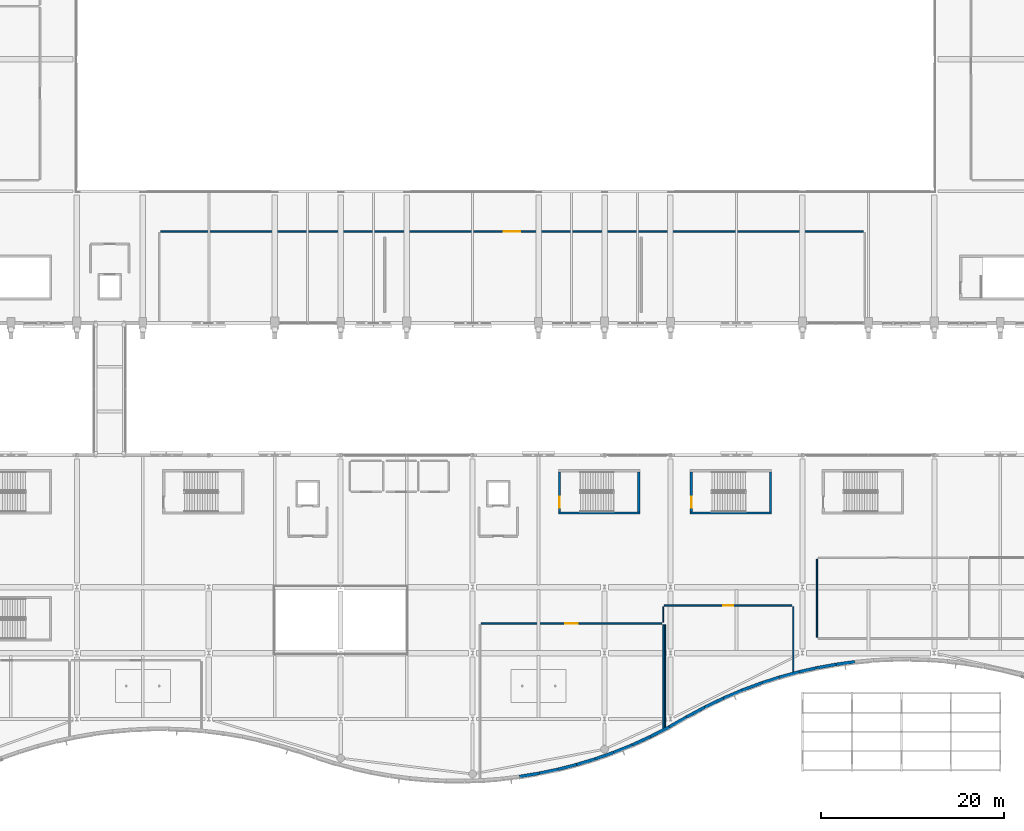
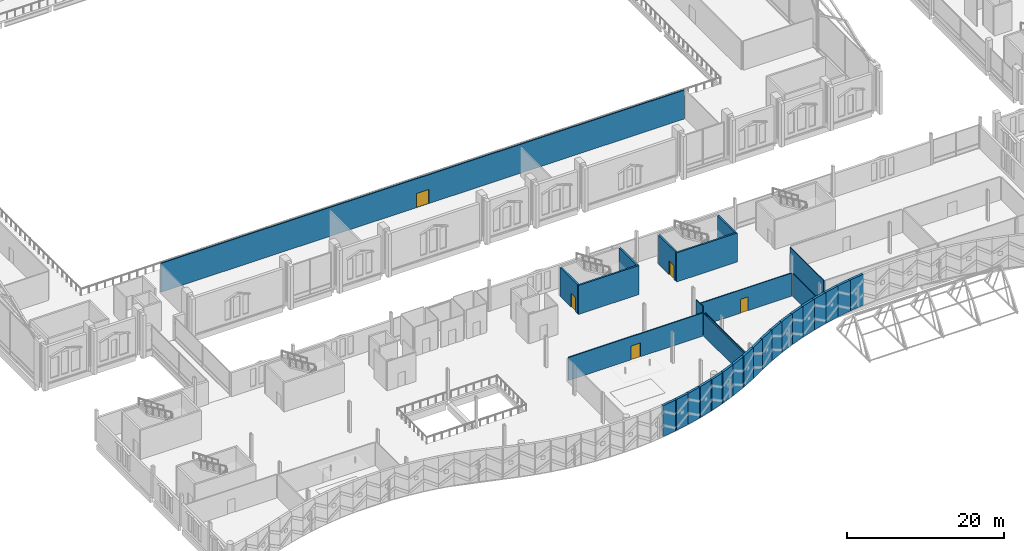
# One storey, part 152 of 220: 32 walls, 5 doors, 5 openings.
"""IFC4 building model written with IfcOpenShell, lengths in metres."""

from ifc_helpers import new_model, si_unit, direction, frame, frame_2d, origin, place, context, subcontext, project, spatial, rectangle, extrude, material, layer, layer_set, type_object, element, fill, save


model = new_model("IFC4")

# Units and contexts
model_context = context("Model", 3, precision=1e-05, world=origin(), true_north=direction((0.0, 1.0)))
body_context = subcontext(model_context, "Body", "Model", "MODEL_VIEW")
ifc_project = project(units=[si_unit("LENGTHUNIT", "METRE"), si_unit("AREAUNIT", "SQUARE_METRE"), si_unit("VOLUMEUNIT", "CUBIC_METRE"), si_unit("PLANEANGLEUNIT", "RADIAN"), si_unit("MASSUNIT", "GRAM", prefix="KILO")], contexts=[model_context])

# Site, building, storey
site_placement = place(None, origin())
site = spatial("IfcSite", under=ifc_project, at=site_placement, CompositionType="ELEMENT")
building_placement = place(site_placement, origin())
building = spatial("IfcBuilding", under=site, at=building_placement, Name="Cendralis Lancet Convention Centre", CompositionType="ELEMENT")
storey_placement = place(building_placement, frame((0.0, 0.0, 5.39990234375)))
storey = spatial("IfcBuildingStorey", under=building, at=storey_placement, Name="L01", CompositionType="ELEMENT", Elevation=5.39990234375)

# Walls
ifc_material_1 = material(Name="Buff sandstone ashlar and Concrete G40 (C40/50)", Category="masonry")
ifc_layer_1 = layer(ifc_material_1, 0.340087890625, Name="Buff sandstone ashlar and Concrete G40 (C40/50)")
ifc_layer_set_1 = layer_set([ifc_layer_1], Name="Buff sandstone ashlar and Concrete G40 (C40/50)")
wall_type_1 = type_object("IfcWallType", Name="ARC-EW-W340", PredefinedType="STANDARD", material=ifc_layer_set_1)
wall_1_placement = place(storey_placement, frame((62.697998046875, 0.911376953125, 0.0), z_axis=(0.0, 0.0, 1.0), x_axis=(0.986905765568, 0.161297891767, 0.0)))
element("IfcWall", 1, at=wall_1_placement, inside=storey, type_object=wall_type_1, Name="South Boulevard Wave Wall L01 WP-032-WP-033", PredefinedType="STANDARD", context=body_context, shape_type="SweptSolid", body=[
    extrude(rectangle(XDim=2.221923828125, YDim=0.340087890625, at=frame_2d((1.11083984375, 0.0))), origin(), (0.0, 0.0, 1.0), 4.800048828125),
])
wall_2_placement = place(storey_placement, frame((64.723876953125, 1.23876953125, 0.0), z_axis=(0.0, 0.0, 1.0), x_axis=(0.97908550934, 0.20344917154, 0.0)))
element("IfcWall", 2, at=wall_2_placement, inside=storey, type_object=wall_type_1, Name="South Boulevard Wave Wall L01 WP-033-WP-034", PredefinedType="STANDARD", context=body_context, shape_type="SweptSolid", body=[
    extrude(rectangle(XDim=2.2392578125, YDim=0.340087890625, at=frame_2d((1.11962890625, 0.0))), origin(), (0.0, 0.0, 1.0), 4.800048828125),
])
wall_3_placement = place(storey_placement, frame((66.75048828125, 1.656005859375, 0.0), z_axis=(0.0, 0.0, 1.0), x_axis=(0.969258997982, 0.246042668719, 0.0)))
element("IfcWall", 3, at=wall_3_placement, inside=storey, type_object=wall_type_1, Name="South Boulevard Wave Wall L01 WP-034-WP-035", PredefinedType="STANDARD", context=body_context, shape_type="SweptSolid", body=[
    extrude(rectangle(XDim=2.25927734375, YDim=0.340087890625, at=frame_2d((1.129638671875, 0.0))), origin(), (0.0, 0.0, 1.0), 4.800048828125),
])
wall_4_placement = place(storey_placement, frame((68.776611328125, 2.16650390625, 0.0), z_axis=(0.0, 0.0, 1.0), x_axis=(0.957628994577, 0.288004702643, 0.0)))
element("IfcWall", 4, at=wall_4_placement, inside=storey, type_object=wall_type_1, Name="South Boulevard Wave Wall L01 WP-035-WP-036", PredefinedType="STANDARD", context=body_context, shape_type="SweptSolid", body=[
    extrude(rectangle(XDim=2.284423828125, YDim=0.340087890625, at=frame_2d((1.14208984375, 0.0))), origin(), (0.0, 0.0, 1.0), 4.800048828125),
])
wall_5_placement = place(storey_placement, frame((70.802734375, 2.77197265625, 0.0), z_axis=(0.0, 0.0, 1.0), x_axis=(0.943963520868, 0.330049801197, 0.0)))
element("IfcWall", 5, at=wall_5_placement, inside=storey, type_object=wall_type_1, Name="South Boulevard Wave Wall L01 WP-036-WP-037", PredefinedType="STANDARD", context=body_context, shape_type="SweptSolid", body=[
    extrude(rectangle(XDim=2.315185546875, YDim=0.340087890625, at=frame_2d((1.15771484375, 0.0))), origin(), (0.0, 0.0, 1.0), 4.800048828125),
])
wall_6_placement = place(storey_placement, frame((72.8291015625, 3.476318359375, 0.0), z_axis=(0.0, 0.0, 1.0), x_axis=(0.928046758816, 0.372463707563, 0.0)))
element("IfcWall", 6, at=wall_6_placement, inside=storey, type_object=wall_type_1, Name="South Boulevard Wave Wall L01 WP-037-WP-038", PredefinedType="STANDARD", context=body_context, shape_type="SweptSolid", body=[
    extrude(rectangle(XDim=2.353271484375, YDim=0.340087890625, at=frame_2d((1.1767578125, 0.0))), origin(), (0.0, 0.0, 1.0), 4.800048828125),
])
wall_7_placement = place(storey_placement, frame((74.856689453125, 4.28564453125, 0.0), z_axis=(0.0, 0.0, 1.0), x_axis=(0.909912191501, 0.414800920633, 0.0)))
element("IfcWall", 7, at=wall_7_placement, inside=storey, type_object=wall_type_1, Name="South Boulevard Wave Wall L01 WP-038-WP-039", PredefinedType="STANDARD", context=body_context, shape_type="SweptSolid", body=[
    extrude(rectangle(XDim=2.3955078125, YDim=0.340087890625, at=frame_2d((1.19775390625, 0.0))), origin(), (0.0, 0.0, 1.0), 4.800048828125),
])
wall_8_placement = place(storey_placement, frame((76.88330078125, 5.205078125, 0.0), z_axis=(0.0, 0.0, 1.0), x_axis=(0.889545097509, 0.456847370024, 0.0)))
element("IfcWall", 8, at=wall_8_placement, inside=storey, type_object=wall_type_1, Name="South Boulevard Wave Wall L01 WP-039-WP-040", PredefinedType="STANDARD", context=body_context, shape_type="SweptSolid", body=[
    extrude(rectangle(XDim=2.446533203125, YDim=0.340087890625, at=frame_2d((1.22314453125, 0.0))), origin(), (0.0, 0.0, 1.0), 4.800048828125),
])
wall_9_placement = place(storey_placement, frame((78.91015625, 6.241943359375, 0.0), z_axis=(0.0, 0.0, 1.0), x_axis=(0.86862731291, 0.495466034423, 0.0)))
element("IfcWall", 9, at=wall_9_placement, inside=storey, type_object=wall_type_1, Name="South Boulevard Wave Wall L01 WP-040-WP-041", PredefinedType="STANDARD", context=body_context, shape_type="SweptSolid", body=[
    extrude(rectangle(XDim=2.501220703125, YDim=0.340087890625, at=frame_2d((1.25048828125, 0.0))), origin(), (0.0, 0.0, 1.0), 4.800048828125),
])
wall_10_placement = place(storey_placement, frame((80.93408203125, 7.398681640625, 0.0), z_axis=(0.0, 0.0, 1.0), x_axis=(0.88020761941, 0.474588818593, 0.0)))
element("IfcWall", 10, at=wall_10_placement, inside=storey, type_object=wall_type_1, Name="South Boulevard Wave Wall L01 WP-041-WP-042", PredefinedType="STANDARD", context=body_context, shape_type="SweptSolid", body=[
    extrude(rectangle(XDim=2.470703125, YDim=0.340087890625, at=frame_2d((1.2353515625, 0.0))), origin(), (0.0, 0.0, 1.0), 4.800048828125),
])
wall_11_placement = place(storey_placement, frame((82.95751953125, 8.494140625, 0.0), z_axis=(0.0, 0.0, 1.0), x_axis=(0.901581367557, 0.432609567247, 0.0)))
element("IfcWall", 11, at=wall_11_placement, inside=storey, type_object=wall_type_1, Name="South Boulevard Wave Wall L01 WP-042-WP-043", PredefinedType="STANDARD", context=body_context, shape_type="SweptSolid", body=[
    extrude(rectangle(XDim=2.4169921875, YDim=0.340087890625, at=frame_2d((1.20849609375, 0.0))), origin(), (0.0, 0.0, 1.0), 4.800048828125),
])
wall_12_placement = place(storey_placement, frame((84.981689453125, 9.4697265625, 0.0), z_axis=(0.0, 0.0, 1.0), x_axis=(0.920731016791, 0.39019789174, 0.0)))
element("IfcWall", 12, at=wall_12_placement, inside=storey, type_object=wall_type_1, Name="South Boulevard Wave Wall L01 WP-043-WP-044", PredefinedType="STANDARD", context=body_context, shape_type="SweptSolid", body=[
    extrude(rectangle(XDim=2.369384765625, YDim=0.340087890625, at=frame_2d((1.1845703125, 0.0))), origin(), (0.0, 0.0, 1.0), 4.800048828125),
])
wall_13_placement = place(storey_placement, frame((87.00537109375, 10.331298828125, 0.0), z_axis=(0.0, 0.0, 1.0), x_axis=(0.937431134524, 0.348170745504, 0.0)))
element("IfcWall", 13, at=wall_13_placement, inside=storey, type_object=wall_type_1, Name="South Boulevard Wave Wall L01 WP-044-WP-045", PredefinedType="STANDARD", context=body_context, shape_type="SweptSolid", body=[
    extrude(rectangle(XDim=2.330078125, YDim=0.340087890625, at=frame_2d((1.1650390625, 0.0))), origin(), (0.0, 0.0, 1.0), 4.800048828125),
])
wall_14_placement = place(storey_placement, frame((89.029052734375, 11.0869140625, 0.0), z_axis=(0.0, 0.0, 1.0), x_axis=(0.951998698531, 0.306102071203, 0.0)))
element("IfcWall", 14, at=wall_14_placement, inside=storey, type_object=wall_type_1, Name="South Boulevard Wave Wall L01 WP-045-WP-046", PredefinedType="STANDARD", context=body_context, shape_type="SweptSolid", body=[
    extrude(rectangle(XDim=2.297119140625, YDim=0.340087890625, at=frame_2d((1.1484375, 0.0))), origin(), (0.0, 0.0, 1.0), 4.800048828125),
])
wall_15_placement = place(storey_placement, frame((91.052978515625, 11.74169921875, 0.0), z_axis=(0.0, 0.0, 1.0), x_axis=(0.964609795195, 0.263681518151, 0.0)))
element("IfcWall", 15, at=wall_15_placement, inside=storey, type_object=wall_type_1, Name="South Boulevard Wave Wall L01 WP-046-WP-047", PredefinedType="STANDARD", context=body_context, shape_type="SweptSolid", body=[
    extrude(rectangle(XDim=2.270263671875, YDim=0.340087890625, at=frame_2d((1.13525390625, 0.0))), origin(), (0.0, 0.0, 1.0), 4.800048828125),
])
wall_16_placement = place(storey_placement, frame((93.078125, 12.29931640625, 0.0), z_axis=(0.0, 0.0, 1.0), x_axis=(0.97525761738, 0.221071435835, 0.0)))
element("IfcWall", 16, at=wall_16_placement, inside=storey, type_object=wall_type_1, Name="South Boulevard Wave Wall L01 WP-047-WP-048", PredefinedType="STANDARD", context=body_context, shape_type="SweptSolid", body=[
    extrude(rectangle(XDim=2.246337890625, YDim=0.340087890625, at=frame_2d((1.123046875, 0.0))), origin(), (0.0, 0.0, 1.0), 4.800048828125),
])
wall_17_placement = place(storey_placement, frame((95.102294921875, 12.76171875, 0.0), z_axis=(0.0, 0.0, 1.0), x_axis=(0.983806745021, 0.179232498313, 0.0)))
element("IfcWall", 17, at=wall_17_placement, inside=storey, type_object=wall_type_1, Name="South Boulevard Wave Wall L01 WP-048-WP-049", PredefinedType="STANDARD", context=body_context, shape_type="SweptSolid", body=[
    extrude(rectangle(XDim=2.228515625, YDim=0.340087890625, at=frame_2d((1.1142578125, 0.0))), origin(), (0.0, 0.0, 1.0), 4.800048828125),
])
wall_18_placement = place(storey_placement, frame((97.126708984375, 13.134521484375, 0.0), z_axis=(0.0, 0.0, 1.0), x_axis=(0.990595897683, 0.136820201338, 0.0)))
element("IfcWall", 18, at=wall_18_placement, inside=storey, type_object=wall_type_1, Name="South Boulevard Wave Wall L01 WP-049-WP-050", PredefinedType="STANDARD", context=body_context, shape_type="SweptSolid", body=[
    extrude(rectangle(XDim=2.21435546875, YDim=0.340087890625, at=frame_2d((1.107177734375, 0.0))), origin(), (0.0, 0.0, 1.0), 4.800048828125),
])
ifc_material_2 = material(Name="Acoustic fire-rated gypsum board on steel studs", Category="steel")
ifc_layer_2 = layer(ifc_material_2, 0.1201171875, Name="Acoustic fire-rated gypsum board on steel studs")
ifc_layer_set_2 = layer_set([ifc_layer_2], Name="Acoustic fire-rated gypsum board on steel studs")
wall_type_2 = type_object("IfcWallType", Name="ARC-IW-P120", PredefinedType="PARTITIONING", material=ifc_layer_set_2)
wall_19_placement = place(storey_placement, frame((78.39990234375, 17.739990234375, 0.0), z_axis=(0.0, 0.0, 1.0), x_axis=(0.0, 1.0, 0.0)))
element("IfcWall", 19, at=wall_19_placement, inside=storey, type_object=wall_type_2, Name="L01 Interior Partition IW-05 #0236", PredefinedType="PARTITIONING", context=body_context, shape_type="SweptSolid", body=[
    extrude(rectangle(XDim=1.719970703125, YDim=0.1201171875, at=frame_2d((0.85986328125, 0.0))), origin(), (0.0, 0.0, 1.0), 4.485107421875),
])
ifc_layer_3 = layer(ifc_material_2, 0.139892578125, Name="Acoustic fire-rated gypsum board on steel studs")
ifc_layer_set_3 = layer_set([ifc_layer_3], Name="Acoustic fire-rated gypsum board on steel studs")
wall_type_3 = type_object("IfcWallType", Name="ARC-IW-P140", PredefinedType="PARTITIONING", material=ifc_layer_set_3)
wall_20_placement = place(storey_placement, frame((78.39990234375, 6.16162109375, 0.0), z_axis=(0.0, 0.0, 1.0), x_axis=(0.0, 1.0, 0.0)))
element("IfcWall", 20, at=wall_20_placement, inside=storey, type_object=wall_type_3, Name="L01 Interior Partition IW-04 #0233", PredefinedType="PARTITIONING", context=body_context, shape_type="SweptSolid", body=[
    extrude(rectangle(XDim=11.29833984375, YDim=0.139892578125, at=frame_2d((5.649169921875, 0.0))), origin(), (0.0, 0.0, 1.0), 3.53515625),
])
wall_21_placement = place(storey_placement, frame((78.60009765625, 6.267578125, 0.0), z_axis=(0.0, 0.0, 1.0), x_axis=(0.0, 1.0, 0.0)))
element("IfcWall", 21, at=wall_21_placement, inside=storey, type_object=wall_type_3, Name="L01 Interior Partition IW-04 #0234", PredefinedType="PARTITIONING", context=body_context, shape_type="SweptSolid", body=[
    extrude(rectangle(XDim=11.1923828125, YDim=0.139892578125, at=frame_2d((5.59619140625, 0.0))), origin(), (0.0, 0.0, 1.0), 3.53515625),
])

# Wall, opening, door
wall_22_placement = place(storey_placement, frame((78.5400390625, 19.60009765625, 0.0), z_axis=(0.0, 0.0, 1.0), x_axis=(1.0, 0.0, 0.0)))
wall_22 = element("IfcWall", 22, at=wall_22_placement, inside=storey, type_object=wall_type_3, Name="L01 Interior Partition IW-04 #0235", PredefinedType="PARTITIONING", context=body_context, shape_type="SweptSolid", body=[
    extrude(rectangle(XDim=13.919921875, YDim=0.139892578125, at=frame_2d((6.9599609375, 0.0))), origin(), (0.0, 0.0, 1.0), 3.585205078125),
])
opening_1_placement = place(wall_22_placement, frame((6.409912109375, 0.0, 0.0)))
opening_1 = element("IfcOpeningElement", 23, at=opening_1_placement, cuts=wall_22, Name="Opening FD-11", PredefinedType="OPENING", context=body_context, shape_type="SweptSolid", body=[
    extrude(rectangle(XDim=1.10009765625, YDim=2.14990234375, at=frame_2d((0.550048828125, 1.074951171875))), frame((0.0, 0.079833984375, 0.0), z_axis=(0.0, -1.0, 0.0), x_axis=(1.0, 0.0, 0.0)), (0.0, 0.0, 1.0), 0.159912109375),
])
ifc_material_3 = material(Name="Steel S355", Category="steel")
door_type_1 = type_object("IfcDoorType", Name="ARC-DR-FF11", OperationType="NOTDEFINED", PredefinedType="DOOR", material=ifc_material_3)
door_1_placement = place(opening_1_placement, origin())
door_1 = element("IfcDoor", 24, at=door_1_placement, inside=storey, type_object=door_type_1, Name="L01-D027 L01 Interior Door FD-11 #0078", OperationType="SINGLE_SWING_RIGHT", OverallHeight=2.14990234375, OverallWidth=1.10009765625, PredefinedType="DOOR", context=body_context, shape_type="SweptSolid", body=[
    extrude(rectangle(XDim=1.10009765625, YDim=2.14990234375, at=frame_2d((0.550048828125, 1.074951171875))), frame((0.0, 0.02490234375, 0.0), z_axis=(0.0, -1.0, 0.0), x_axis=(1.0, 0.0, 0.0)), (0.0, 0.0, 1.0), 0.050048828125),
])
fill(opening_1, door_1)

# Walls
wall_23_placement = place(storey_placement, frame((92.60009765625, 12.36376953125, 0.0), z_axis=(0.0, 0.0, 1.0), x_axis=(0.0, 1.0, 0.0)))
element("IfcWall", 25, at=wall_23_placement, inside=storey, type_object=wall_type_3, Name="L01 Interior Partition IW-04 #0237", PredefinedType="PARTITIONING", context=body_context, shape_type="SweptSolid", body=[
    extrude(rectangle(XDim=7.09619140625, YDim=0.139892578125, at=frame_2d((3.548095703125, 0.0))), origin(), (0.0, 0.0, 1.0), 3.53515625),
])
wall_24_placement = place(storey_placement, frame((95.199951171875, 16.139892578125, 0.0), z_axis=(0.0, 0.0, 1.0), x_axis=(0.0, 1.0, 0.0)))
element("IfcWall", 26, at=wall_24_placement, inside=storey, type_object=wall_type_3, Name="L01 Interior Partition IW-04 #0240", PredefinedType="PARTITIONING", context=body_context, shape_type="SweptSolid", body=[
    extrude(rectangle(XDim=8.52001953125, YDim=0.139892578125, at=frame_2d((4.260009765625, 0.0))), origin(), (0.0, 0.0, 1.0), 3.53515625),
])

# Wall, opening, door
ifc_layer_4 = layer(ifc_material_2, 0.159912109375, Name="Acoustic fire-rated gypsum board on steel studs")
ifc_layer_set_4 = layer_set([ifc_layer_4], Name="Acoustic fire-rated gypsum board on steel studs")
wall_type_4 = type_object("IfcWallType", Name="ARC-IW-P160", PredefinedType="PARTITIONING", material=ifc_layer_set_4)
wall_25_placement = place(storey_placement, frame((23.5400390625, 60.39990234375, 0.0), z_axis=(0.0, 0.0, 1.0), x_axis=(1.0, 0.0, 0.0)))
wall_25 = element("IfcWall", 27, at=wall_25_placement, inside=storey, type_object=wall_type_4, Name="L01 Interior Partition IW-03 #0027", PredefinedType="PARTITIONING", context=body_context, shape_type="SweptSolid", body=[
    extrude(rectangle(XDim=76.719970703125, YDim=0.159912109375, at=frame_2d((38.35986328125, 0.0))), origin(), (0.0, 0.0, 1.0), 4.485107421875),
])
opening_2_placement = place(wall_25_placement, frame((37.4599609375, 0.0, 0.0)))
opening_2 = element("IfcOpeningElement", 28, at=opening_2_placement, cuts=wall_25, Name="Opening ID-18", PredefinedType="OPENING", context=body_context, shape_type="SweptSolid", body=[
    extrude(rectangle(XDim=1.800048828125, YDim=2.199951171875, at=frame_2d((0.89990234375, 1.10009765625))), frame((0.0, 0.08984375, 0.0), z_axis=(0.0, -1.0, 0.0), x_axis=(1.0, 0.0, 0.0)), (0.0, 0.0, 1.0), 0.179931640625),
])
ifc_material_4 = material(Name="Acoustic Chilean lenga timber and steel fire leaf", Category="steel")
door_type_2 = type_object("IfcDoorType", Name="ARC-DR-DB18", OperationType="NOTDEFINED", PredefinedType="DOOR", material=ifc_material_4)
door_2_placement = place(opening_2_placement, origin())
door_2 = element("IfcDoor", 29, at=door_2_placement, inside=storey, type_object=door_type_2, Name="L01-D001 L01 Interior Door ID-18 #0008", OperationType="DOUBLE_DOOR_SINGLE_SWING", OverallHeight=2.199951171875, OverallWidth=1.800048828125, PredefinedType="DOOR", context=body_context, shape_type="SweptSolid", body=[
    extrude(rectangle(XDim=1.800048828125, YDim=2.199951171875, at=frame_2d((0.89990234375, 1.10009765625))), frame((0.0, 0.02490234375, 0.0), z_axis=(0.0, -1.0, 0.0), x_axis=(1.0, 0.0, 0.0)), (0.0, 0.0, 1.0), 0.050048828125),
])
fill(opening_2, door_2)

wall_26_placement = place(storey_placement, frame((58.5400390625, 17.60009765625, 0.0), z_axis=(0.0, 0.0, 1.0), x_axis=(1.0, 0.0, 0.0)))
wall_26 = element("IfcWall", 30, at=wall_26_placement, inside=storey, type_object=wall_type_4, Name="L01 Interior Partition IW-03 #0232", PredefinedType="PARTITIONING", context=body_context, shape_type="SweptSolid", body=[
    extrude(rectangle(XDim=19.719970703125, YDim=0.159912109375, at=frame_2d((9.85986328125, 0.0))), origin(), (0.0, 0.0, 1.0), 3.585205078125),
])
opening_3_placement = place(wall_26_placement, frame((9.159912109375, 0.0, 0.0)))
opening_3 = element("IfcOpeningElement", 31, at=opening_3_placement, cuts=wall_26, Name="Opening ID-14", PredefinedType="OPENING", context=body_context, shape_type="SweptSolid", body=[
    extrude(rectangle(XDim=1.39990234375, YDim=2.14990234375, at=frame_2d((0.699951171875, 1.074951171875))), frame((0.0, 0.08984375, 0.0), z_axis=(0.0, -1.0, 0.0), x_axis=(1.0, 0.0, 0.0)), (0.0, 0.0, 1.0), 0.179931640625),
])
door_type_3 = type_object("IfcDoorType", Name="ARC-DR-DB14", OperationType="NOTDEFINED", PredefinedType="DOOR", material=ifc_material_4)
door_3_placement = place(opening_3_placement, frame((1.39990234375, 0.0, 0.0), z_axis=(0.0, 0.0, 1.0), x_axis=(-1.0, 0.0, 0.0)))
door_3 = element("IfcDoor", 32, at=door_3_placement, inside=storey, type_object=door_type_3, Name="L01-D026 L01 Interior Door ID-14 #0077", OperationType="DOUBLE_DOOR_SINGLE_SWING", OverallHeight=2.14990234375, OverallWidth=1.39990234375, PredefinedType="DOOR", context=body_context, shape_type="SweptSolid", body=[
    extrude(rectangle(XDim=1.39990234375, YDim=2.14990234375, at=frame_2d((0.699951171875, 1.074951171875))), frame((0.0, 0.02490234375, 0.0), z_axis=(0.0, -1.0, 0.0), x_axis=(1.0, 0.0, 0.0)), (0.0, 0.0, 1.0), 0.050048828125),
])
fill(opening_3, door_3)

ifc_material_5 = material(Name="Concrete G40 (C40/50)", Category="concrete")
ifc_layer_5 = layer(ifc_material_5, 0.25, Name="Concrete G40 (C40/50)")
ifc_layer_set_5 = layer_set([ifc_layer_5], Name="Concrete G40 (C40/50)")
wall_type_5 = type_object("IfcWallType", Name="STR-SW-CW250", PredefinedType="SHEAR", material=ifc_layer_set_5)
wall_27_placement = place(storey_placement, frame((67.074951171875, 29.800048828125, 0.0), z_axis=(0.0, 0.0, 1.0), x_axis=(0.0, 1.0, 0.0)))
wall_27 = element("IfcWall", 33, at=wall_27_placement, inside=storey, type_object=wall_type_5, Name="L01 Stair Core ST-12 West Shear Wall", PredefinedType="SHEAR", context=body_context, shape_type="SweptSolid", body=[
    extrude(rectangle(XDim=4.3798828125, YDim=0.25, at=frame_2d((2.18994140625, 0.0))), origin(), (0.0, 0.0, 1.0), 4.5),
])
opening_4_placement = place(wall_27_placement, frame((0.449951171875, 0.0, 0.0)))
opening_4 = element("IfcOpeningElement", 34, at=opening_4_placement, cuts=wall_27, Name="Opening SD-12", PredefinedType="OPENING", context=body_context, shape_type="SweptSolid", body=[
    extrude(rectangle(XDim=1.199951171875, YDim=2.14990234375, at=frame_2d((0.60009765625, 1.074951171875))), frame((0.0, 0.135009765625, 0.0), z_axis=(0.0, -1.0, 0.0), x_axis=(1.0, 0.0, 0.0)), (0.0, 0.0, 1.0), 0.27001953125),
])
door_type_4 = type_object("IfcDoorType", Name="ARC-DR-ST12", OperationType="NOTDEFINED", PredefinedType="DOOR", material=ifc_material_3)
door_4_placement = place(opening_4_placement, frame((1.199951171875, 0.0, 0.0), z_axis=(0.0, 0.0, 1.0), x_axis=(-1.0, 0.0, 0.0)))
door_4 = element("IfcDoor", 35, at=door_4_placement, inside=storey, type_object=door_type_4, Name="L01-D079 L01 Exit Stair ST-12 Fire Door", OperationType="SINGLE_SWING_LEFT", OverallHeight=2.14990234375, OverallWidth=1.199951171875, PredefinedType="DOOR", context=body_context, shape_type="SweptSolid", body=[
    extrude(rectangle(XDim=1.199951171875, YDim=2.14990234375, at=frame_2d((0.60009765625, 1.074951171875))), frame((0.0, 0.02490234375, 0.0), z_axis=(0.0, -1.0, 0.0), x_axis=(1.0, 0.0, 0.0)), (0.0, 0.0, 1.0), 0.050048828125),
])
fill(opening_4, door_4)

# Walls
wall_28_placement = place(storey_placement, frame((75.72509765625, 29.800048828125, 0.0), z_axis=(0.0, 0.0, 1.0), x_axis=(0.0, 1.0, 0.0)))
element("IfcWall", 36, at=wall_28_placement, inside=storey, type_object=wall_type_5, Name="L01 Stair Core ST-12 East Shear Wall", PredefinedType="SHEAR", context=body_context, shape_type="SweptSolid", body=[
    extrude(rectangle(XDim=4.3798828125, YDim=0.25, at=frame_2d((2.18994140625, 0.0))), origin(), (0.0, 0.0, 1.0), 4.5),
])
wall_29_placement = place(storey_placement, frame((66.949951171875, 29.675048828125, 0.0), z_axis=(0.0, 0.0, 1.0), x_axis=(1.0, 0.0, 0.0)))
element("IfcWall", 37, at=wall_29_placement, inside=storey, type_object=wall_type_5, Name="L01 Stair Core ST-12 South Shear Wall", PredefinedType="SHEAR", context=body_context, shape_type="SweptSolid", body=[
    extrude(rectangle(XDim=8.900146484375, YDim=0.25, at=frame_2d((4.4501953125, 0.0))), origin(), (0.0, 0.0, 1.0), 4.5),
])

# Wall, opening, door
wall_30_placement = place(storey_placement, frame((81.47509765625, 29.800048828125, 0.0), z_axis=(0.0, 0.0, 1.0), x_axis=(0.0, 1.0, 0.0)))
wall_30 = element("IfcWall", 38, at=wall_30_placement, inside=storey, type_object=wall_type_5, Name="L01 Stair Core ST-21 West Shear Wall", PredefinedType="SHEAR", context=body_context, shape_type="SweptSolid", body=[
    extrude(rectangle(XDim=4.3798828125, YDim=0.25, at=frame_2d((2.18994140625, 0.0))), origin(), (0.0, 0.0, 1.0), 4.5),
])
opening_5_placement = place(wall_30_placement, frame((0.449951171875, 0.0, 0.0)))
opening_5 = element("IfcOpeningElement", 39, at=opening_5_placement, cuts=wall_30, Name="Opening SD-12", PredefinedType="OPENING", context=body_context, shape_type="SweptSolid", body=[
    extrude(rectangle(XDim=1.199951171875, YDim=2.14990234375, at=frame_2d((0.60009765625, 1.074951171875))), frame((0.0, 0.135009765625, 0.0), z_axis=(0.0, -1.0, 0.0), x_axis=(1.0, 0.0, 0.0)), (0.0, 0.0, 1.0), 0.27001953125),
])
door_5_placement = place(opening_5_placement, frame((1.199951171875, 0.0, 0.0), z_axis=(0.0, 0.0, 1.0), x_axis=(-1.0, 0.0, 0.0)))
door_5 = element("IfcDoor", 40, at=door_5_placement, inside=storey, type_object=door_type_4, Name="L01-D088 L01 Exit Stair ST-21 Fire Door", OperationType="SINGLE_SWING_LEFT", OverallHeight=2.14990234375, OverallWidth=1.199951171875, PredefinedType="DOOR", context=body_context, shape_type="SweptSolid", body=[
    extrude(rectangle(XDim=1.199951171875, YDim=2.14990234375, at=frame_2d((0.60009765625, 1.074951171875))), frame((0.0, 0.02490234375, 0.0), z_axis=(0.0, -1.0, 0.0), x_axis=(1.0, 0.0, 0.0)), (0.0, 0.0, 1.0), 0.050048828125),
])
fill(opening_5, door_5)

# Walls
wall_31_placement = place(storey_placement, frame((90.125, 29.800048828125, 0.0), z_axis=(0.0, 0.0, 1.0), x_axis=(0.0, 1.0, 0.0)))
element("IfcWall", 41, at=wall_31_placement, inside=storey, type_object=wall_type_5, Name="L01 Stair Core ST-21 East Shear Wall", PredefinedType="SHEAR", context=body_context, shape_type="SweptSolid", body=[
    extrude(rectangle(XDim=4.3798828125, YDim=0.25, at=frame_2d((2.18994140625, 0.0))), origin(), (0.0, 0.0, 1.0), 4.5),
])
wall_32_placement = place(storey_placement, frame((81.35009765625, 29.675048828125, 0.0), z_axis=(0.0, 0.0, 1.0), x_axis=(1.0, 0.0, 0.0)))
element("IfcWall", 42, at=wall_32_placement, inside=storey, type_object=wall_type_5, Name="L01 Stair Core ST-21 South Shear Wall", PredefinedType="SHEAR", context=body_context, shape_type="SweptSolid", body=[
    extrude(rectangle(XDim=8.89990234375, YDim=0.25, at=frame_2d((4.449951171875, 0.0))), origin(), (0.0, 0.0, 1.0), 4.5),
])

save(model, "model.ifc")
